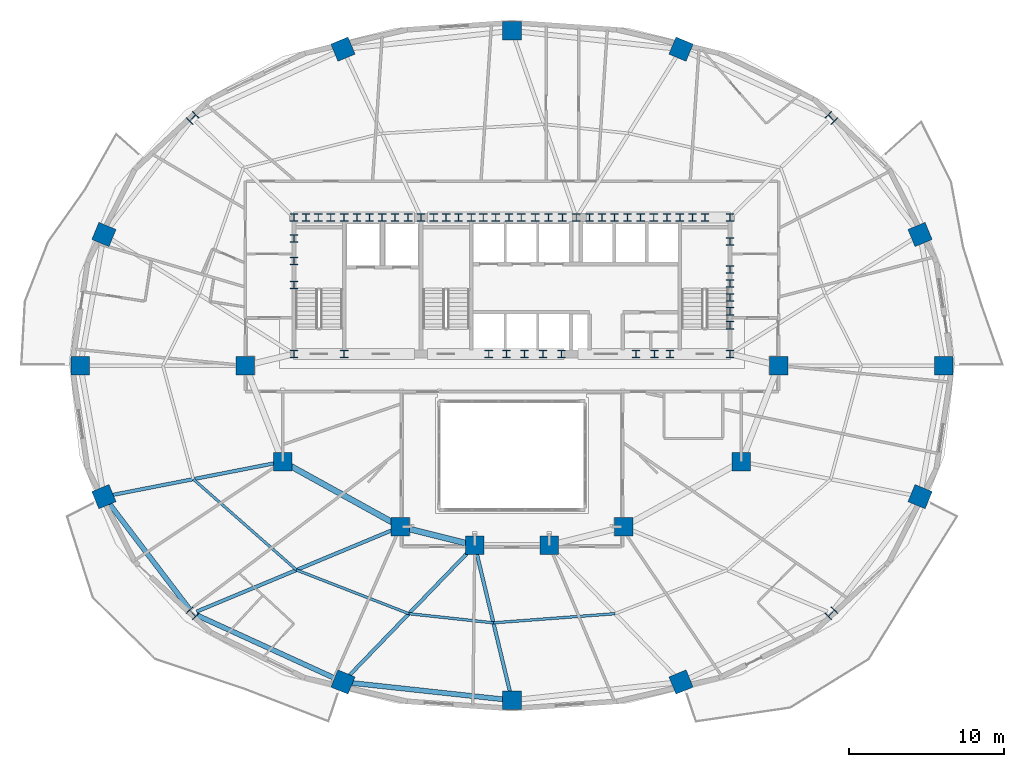
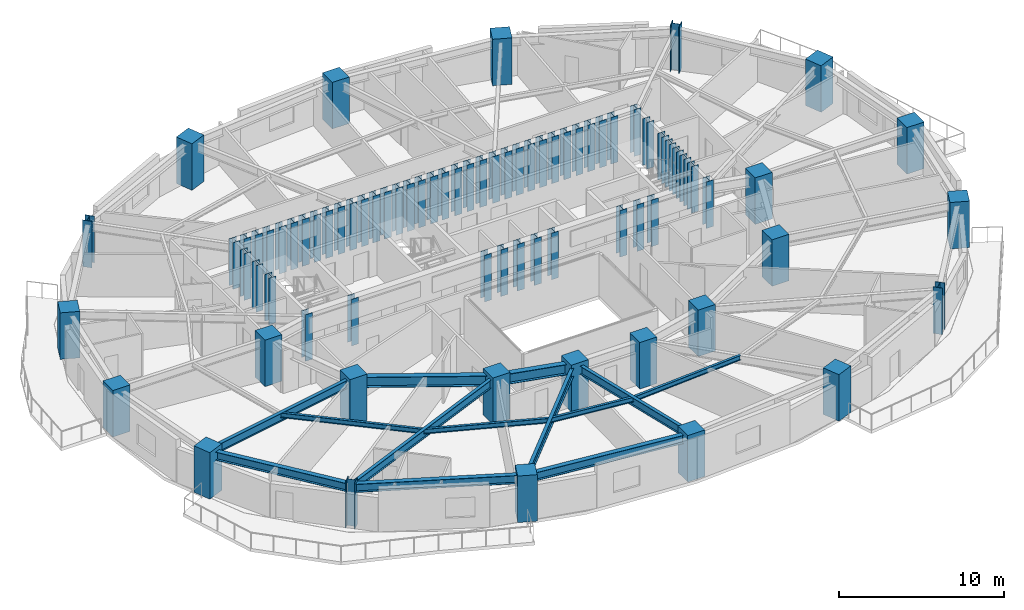
# One storey, part 1 of 14: 78 columns, 13 beams.
"""IFC4 building model written with IfcOpenShell, lengths in metres."""

from ifc_helpers import new_model, si_unit, direction, frame, origin, origin_2d, place, context, subcontext, project, spatial, rectangle, i_section, extrude, material, material_profile, profile_set, type_object, element, save


model = new_model("IFC4")

# Units and contexts
model_context = context("Model", 3, precision=1e-05, world=origin(), true_north=direction((0.0, 1.0)))
body_context = subcontext(model_context, "Body", "Model", "MODEL_VIEW")
ifc_project = project(units=[si_unit("LENGTHUNIT", "METRE"), si_unit("AREAUNIT", "SQUARE_METRE"), si_unit("VOLUMEUNIT", "CUBIC_METRE"), si_unit("PLANEANGLEUNIT", "RADIAN"), si_unit("MASSUNIT", "GRAM", prefix="KILO")], contexts=[model_context])

# Site, building, storey
site_placement = place(None, origin())
site = spatial("IfcSite", under=ifc_project, at=site_placement, CompositionType="ELEMENT")
building_placement = place(site_placement, origin())
building = spatial("IfcBuilding", under=site, at=building_placement, Name="Haldorwick Loom Tower", CompositionType="ELEMENT")
storey_placement = place(building_placement, frame((0.0, 0.0, 102.5)))
storey = spatial("IfcBuildingStorey", under=building, at=storey_placement, Name="L27", CompositionType="ELEMENT", Elevation=102.5)

# Columns
ifc_material_1 = material(Name="Concrete C60 (60 MPa)", Category="concrete")
ifc_material_profile_1 = material_profile(ifc_material_1, rectangle(XDim=1.199951171875, YDim=1.199951171875, at=origin_2d()), Name="RC1200X1200", Category="concrete")
ifc_profile_set_1 = profile_set([ifc_material_profile_1], Name="Concrete C60 (60 MPa)")
column_type_1 = type_object("IfcColumnType", Name="STR-COL-RC1200", PredefinedType="COLUMN", material=ifc_profile_set_1)
for number, where, z_axis, x_axis, name in (
    (1, (53.199951171875, 26.0, 0.0), (0.0, 0.0, 1.0), (1.0, 0.0, 0.0), "L27 Inner Column IC-01"),
    (2, (50.800048828125, 19.800048828125, 0.0), (0.0, 0.0, 1.0), (1.0, 0.0, 0.0), "L27 Inner Column IC-02"),
    (3, (43.199951171875, 15.60009765625, 0.0), (0.0, 0.0, 1.0), (1.0, 0.0, 0.0), "L27 Inner Column IC-03"),
    (4, (38.39990234375, 14.39990234375, 0.0), (0.0, 0.0, 1.0), (1.0, 0.0, 0.0), "L27 Inner Column IC-04"),
    (5, (33.60009765625, 14.39990234375, 0.0), (0.0, 0.0, 1.0), (1.0, 0.0, 0.0), "L27 Inner Column IC-05"),
    (6, (28.800048828125, 15.60009765625, 0.0), (0.0, 0.0, 1.0), (1.0, 0.0, 0.0), "L27 Inner Column IC-06"),
    (7, (21.199951171875, 19.800048828125, 0.0), (0.0, 0.0, 1.0), (1.0, 0.0, 0.0), "L27 Inner Column IC-07"),
    (8, (18.800048828125, 26.0, 0.0), (0.0, 0.0, 1.0), (1.0, 0.0, 0.0), "L27 Inner Column IC-08"),
    (9, (63.857666015625, 26.0, 0.0), (0.0, 0.0, 1.0), (1.0, 0.0, 0.0), "L27 Perimeter Pier Column P01"),
    (10, (62.33056640625, 34.457275390625, 0.0), (0.0, 0.0, 1.0), (0.923879532511, 0.382683432365, 0.0), "L27 Perimeter Pier Column P02"),
    (11, (46.906494140625, 46.417724609375, 0.0), (0.0, 0.0, 1.0), (0.382683432365, 0.923879532511, 0.0), "L27 Perimeter Pier Column P04"),
    (12, (36.0, 47.598388671875, 0.0), (0.0, 0.0, 1.0), (0.0, 1.0, 0.0), "L27 Perimeter Pier Column P05"),
    (13, (25.093505859375, 46.417724609375, 0.0), (0.0, 0.0, 1.0), (-0.382683432365, 0.923879532511, 0.0), "L27 Perimeter Pier Column P06"),
    (14, (9.66943359375, 34.457275390625, 0.0), (0.0, 0.0, 1.0), (-0.923879532511, 0.382683432365, 0.0), "L27 Perimeter Pier Column P08"),
    (15, (8.142333984375, 26.0, 0.0), (0.0, 0.0, 1.0), (-1.0, 0.0, 0.0), "L27 Perimeter Pier Column P09"),
    (16, (9.66943359375, 17.542724609375, 0.0), (0.0, 0.0, 1.0), (-0.923879532511, -0.382683432365, 0.0), "L27 Perimeter Pier Column P10"),
    (17, (25.093505859375, 5.582275390625, 0.0), (0.0, 0.0, 1.0), (-0.382683432365, -0.923879532511, 0.0), "L27 Perimeter Pier Column P12"),
    (18, (36.0, 4.401611328125, 0.0), (0.0, 0.0, 1.0), (0.0, -1.0, 0.0), "L27 Perimeter Pier Column P13"),
    (19, (46.906494140625, 5.582275390625, 0.0), (0.0, 0.0, 1.0), (0.382683432365, -0.923879532511, 0.0), "L27 Perimeter Pier Column P14"),
    (20, (62.33056640625, 17.542724609375, 0.0), (0.0, 0.0, 1.0), (0.923879532511, -0.382683432365, 0.0), "L27 Perimeter Pier Column P16"),
):
    element("IfcColumn", number, at=place(storey_placement, frame(where, z_axis=z_axis, x_axis=x_axis)), inside=storey, type_object=column_type_1, Name=name, PredefinedType="COLUMN", context=body_context, shape_type="SweptSolid", body=[
        extrude(rectangle(XDim=1.199951171875, YDim=1.199951171875, at=origin_2d()), origin(), (0.0, 0.0, 1.0), 3.449951171875),
    ])
ifc_material_2 = material(Name="Steel CSA G40.21 350WT", Category="steel")
ifc_material_profile_2 = material_profile(ifc_material_2, i_section(OverallWidth=0.5, OverallDepth=0.5, WebThickness=0.02197265625, FlangeThickness=0.031982421875, at=origin_2d()), Name="WWF500X500", Category="steel")
ifc_profile_set_2 = profile_set([ifc_material_profile_2], Name="Steel CSA G40.21 350WT")
column_type_2 = type_object("IfcColumnType", Name="STR-COL-WWF500", PredefinedType="COLUMN", material=ifc_profile_set_2)
for number, where, z_axis, x_axis, name in (
    (21, (21.929931640625, 35.550048828125, 0.0), (0.0, 0.0, 1.0), (1.0, 0.0, 0.0), "L27 Core Pilaster CB-01"),
    (22, (23.5, 35.550048828125, 0.0), (0.0, 0.0, 1.0), (1.0, 0.0, 0.0), "L27 Core Pilaster CB-02"),
    (23, (25.169921875, 35.550048828125, 0.0), (0.0, 0.0, 1.0), (1.0, 0.0, 0.0), "L27 Core Pilaster CB-03"),
    (24, (26.800048828125, 35.550048828125, 0.0), (0.0, 0.0, 1.0), (1.0, 0.0, 0.0), "L27 Core Pilaster CB-04"),
    (25, (28.449951171875, 35.550048828125, 0.0), (0.0, 0.0, 1.0), (1.0, 0.0, 0.0), "L27 Core Pilaster CB-05"),
    (26, (30.1298828125, 35.550048828125, 0.0), (0.0, 0.0, 1.0), (1.0, 0.0, 0.0), "L27 Core Pilaster CB-06"),
    (27, (31.75, 35.550048828125, 0.0), (0.0, 0.0, 1.0), (1.0, 0.0, 0.0), "L27 Core Pilaster CB-07"),
    (28, (33.3701171875, 35.550048828125, 0.0), (0.0, 0.0, 1.0), (1.0, 0.0, 0.0), "L27 Core Pilaster CB-08"),
    (29, (34.949951171875, 35.550048828125, 0.0), (0.0, 0.0, 1.0), (1.0, 0.0, 0.0), "L27 Core Pilaster CB-09"),
    (30, (36.60009765625, 35.550048828125, 0.0), (0.0, 0.0, 1.0), (1.0, 0.0, 0.0), "L27 Core Pilaster CB-10"),
    (31, (38.35009765625, 35.550048828125, 0.0), (0.0, 0.0, 1.0), (1.0, 0.0, 0.0), "L27 Core Pilaster CB-11"),
    (32, (40.14990234375, 35.550048828125, 0.0), (0.0, 0.0, 1.0), (1.0, 0.0, 0.0), "L27 Core Pilaster CB-12"),
    (33, (41.800048828125, 35.550048828125, 0.0), (0.0, 0.0, 1.0), (1.0, 0.0, 0.0), "L27 Core Pilaster CB-13"),
    (34, (43.449951171875, 35.550048828125, 0.0), (0.0, 0.0, 1.0), (1.0, 0.0, 0.0), "L27 Core Pilaster CB-14"),
    (35, (45.14990234375, 35.550048828125, 0.0), (0.0, 0.0, 1.0), (1.0, 0.0, 0.0), "L27 Core Pilaster CB-15"),
    (36, (46.830078125, 35.550048828125, 0.0), (0.0, 0.0, 1.0), (1.0, 0.0, 0.0), "L27 Core Pilaster CB-16"),
    (37, (48.449951171875, 35.550048828125, 0.0), (0.0, 0.0, 1.0), (1.0, 0.0, 0.0), "L27 Core Pilaster CB-17"),
    (38, (50.070068359375, 35.550048828125, 0.0), (0.0, 0.0, 1.0), (1.0, 0.0, 0.0), "L27 Core Pilaster CB-18"),
    (39, (21.929931640625, 26.75, 0.0), (0.0, 0.0, 1.0), (1.0, 0.0, 0.0), "L27 Core Pilaster CB-19"),
    (40, (25.169921875, 26.75, 0.0), (0.0, 0.0, 1.0), (1.0, 0.0, 0.0), "L27 Core Pilaster CB-20"),
    (41, (34.5, 26.75, 0.0), (0.0, 0.0, 1.0), (1.0, 0.0, 0.0), "L27 Core Pilaster CB-21"),
    (42, (36.800048828125, 26.75, 0.0), (0.0, 0.0, 1.0), (1.0, 0.0, 0.0), "L27 Core Pilaster CB-22"),
    (43, (39.199951171875, 26.75, 0.0), (0.0, 0.0, 1.0), (1.0, 0.0, 0.0), "L27 Core Pilaster CB-23"),
    (44, (45.199951171875, 26.75, 0.0), (0.0, 0.0, 1.0), (1.0, 0.0, 0.0), "L27 Core Pilaster CB-24"),
    (45, (50.070068359375, 26.75, 0.0), (0.0, 0.0, 1.0), (1.0, 0.0, 0.0), "L27 Core Pilaster CB-25"),
    (46, (21.929931640625, 31.199951171875, 0.0), (0.0, 0.0, 1.0), (1.0, 0.0, 0.0), "L27 Core Pilaster CB-26"),
    (47, (21.929931640625, 32.75, 0.0), (0.0, 0.0, 1.0), (1.0, 0.0, 0.0), "L27 Core Pilaster CB-27"),
    (48, (21.929931640625, 34.199951171875, 0.0), (0.0, 0.0, 1.0), (1.0, 0.0, 0.0), "L27 Core Pilaster CB-28"),
    (49, (50.070068359375, 28.60009765625, 0.0), (0.0, 0.0, 1.0), (1.0, 0.0, 0.0), "L27 Core Pilaster CB-29"),
    (50, (50.070068359375, 30.39990234375, 0.0), (0.0, 0.0, 1.0), (1.0, 0.0, 0.0), "L27 Core Pilaster CB-30"),
    (51, (50.070068359375, 32.199951171875, 0.0), (0.0, 0.0, 1.0), (1.0, 0.0, 0.0), "L27 Core Pilaster CB-31"),
    (52, (50.070068359375, 34.0, 0.0), (0.0, 0.0, 1.0), (1.0, 0.0, 0.0), "L27 Core Pilaster CB-32"),
    (53, (22.699951171875, 35.550048828125, 0.0), (0.0, 0.0, 1.0), (1.0, 0.0, 0.0), "L27 Core Pilaster CB-33"),
    (54, (27.6201171875, 35.550048828125, 0.0), (0.0, 0.0, 1.0), (1.0, 0.0, 0.0), "L27 Core Pilaster CB-34"),
    (55, (32.550048828125, 35.550048828125, 0.0), (0.0, 0.0, 1.0), (1.0, 0.0, 0.0), "L27 Core Pilaster CB-35"),
    (56, (37.5, 35.550048828125, 0.0), (0.0, 0.0, 1.0), (1.0, 0.0, 0.0), "L27 Core Pilaster CB-36"),
    (57, (42.6201171875, 35.550048828125, 0.0), (0.0, 0.0, 1.0), (1.0, 0.0, 0.0), "L27 Core Pilaster CB-37"),
    (58, (47.64990234375, 35.550048828125, 0.0), (0.0, 0.0, 1.0), (1.0, 0.0, 0.0), "L27 Core Pilaster CB-38"),
    (59, (24.300048828125, 35.550048828125, 0.0), (0.0, 0.0, 1.0), (1.0, 0.0, 0.0), "L27 Core Pilaster CB-39"),
    (60, (26.0, 35.550048828125, 0.0), (0.0, 0.0, 1.0), (1.0, 0.0, 0.0), "L27 Core Pilaster CB-40"),
    (61, (29.300048828125, 35.550048828125, 0.0), (0.0, 0.0, 1.0), (1.0, 0.0, 0.0), "L27 Core Pilaster CB-41"),
    (62, (30.949951171875, 35.550048828125, 0.0), (0.0, 0.0, 1.0), (1.0, 0.0, 0.0), "L27 Core Pilaster CB-42"),
    (63, (34.14990234375, 35.550048828125, 0.0), (0.0, 0.0, 1.0), (1.0, 0.0, 0.0), "L27 Core Pilaster CB-43"),
    (64, (35.800048828125, 35.550048828125, 0.0), (0.0, 0.0, 1.0), (1.0, 0.0, 0.0), "L27 Core Pilaster CB-44"),
    (65, (39.25, 35.550048828125, 0.0), (0.0, 0.0, 1.0), (1.0, 0.0, 0.0), "L27 Core Pilaster CB-45"),
    (66, (41.0, 35.550048828125, 0.0), (0.0, 0.0, 1.0), (1.0, 0.0, 0.0), "L27 Core Pilaster CB-46"),
    (67, (44.300048828125, 35.550048828125, 0.0), (0.0, 0.0, 1.0), (1.0, 0.0, 0.0), "L27 Core Pilaster CB-47"),
    (68, (46.0, 35.550048828125, 0.0), (0.0, 0.0, 1.0), (1.0, 0.0, 0.0), "L27 Core Pilaster CB-48"),
    (69, (50.070068359375, 29.5, 0.0), (0.0, 0.0, 1.0), (1.0, 0.0, 0.0), "L27 Core Pilaster CB-49"),
    (70, (50.070068359375, 31.300048828125, 0.0), (0.0, 0.0, 1.0), (1.0, 0.0, 0.0), "L27 Core Pilaster CB-50"),
    (71, (35.64990234375, 26.75, 0.0), (0.0, 0.0, 1.0), (1.0, 0.0, 0.0), "L27 Core Pilaster CB-51"),
    (72, (38.0, 26.75, 0.0), (0.0, 0.0, 1.0), (1.0, 0.0, 0.0), "L27 Core Pilaster CB-52"),
    (73, (44.0, 26.75, 0.0), (0.0, 0.0, 1.0), (1.0, 0.0, 0.0), "L27 Core Pilaster CB-53"),
    (74, (46.199951171875, 26.75, 0.0), (0.0, 0.0, 1.0), (1.0, 0.0, 0.0), "L27 Core Pilaster CB-54"),
):
    element("IfcColumn", number, at=place(storey_placement, frame(where, z_axis=z_axis, x_axis=x_axis)), inside=storey, type_object=column_type_2, Name=name, PredefinedType="COLUMN", context=body_context, shape_type="SweptSolid", body=[
        extrude(i_section(OverallWidth=0.5, OverallDepth=0.5, WebThickness=0.02197265625, FlangeThickness=0.031982421875, at=origin_2d()), origin(), (0.0, 0.0, 1.0), 3.449951171875),
    ])
ifc_material_profile_3 = material_profile(ifc_material_2, i_section(OverallWidth=0.60009765625, OverallDepth=0.60009765625, WebThickness=0.02490234375, FlangeThickness=0.035888671875, at=origin_2d()), Name="WWF600X600", Category="steel")
ifc_profile_set_3 = profile_set([ifc_material_profile_3], Name="Steel CSA G40.21 350WT")
column_type_3 = type_object("IfcColumnType", Name="STR-COL-WWF600", PredefinedType="COLUMN", material=ifc_profile_set_3)
for number, where, z_axis, x_axis, name in (
    (75, (56.606689453125, 41.981689453125, 0.0), (0.0, 0.0, 1.0), (0.707106781187, 0.707106781187, 0.0), "L27 Perimeter Pier Column P03"),
    (76, (15.393310546875, 41.981689453125, 0.0), (0.0, 0.0, 1.0), (-0.707106781187, 0.707106781187, 0.0), "L27 Perimeter Pier Column P07"),
    (77, (15.393310546875, 10.018310546875, 0.0), (0.0, 0.0, 1.0), (-0.707106781187, -0.707106781187, 0.0), "L27 Perimeter Pier Column P11"),
    (78, (56.606689453125, 10.018310546875, 0.0), (0.0, 0.0, 1.0), (0.707106781187, -0.707106781187, 0.0), "L27 Perimeter Pier Column P15"),
):
    element("IfcColumn", number, at=place(storey_placement, frame(where, z_axis=z_axis, x_axis=x_axis)), inside=storey, type_object=column_type_3, Name=name, PredefinedType="COLUMN", context=body_context, shape_type="SweptSolid", body=[
        extrude(i_section(OverallWidth=0.60009765625, OverallDepth=0.60009765625, WebThickness=0.02490234375, FlangeThickness=0.035888671875, at=origin_2d()), origin(), (0.0, 0.0, 1.0), 3.449951171875),
    ])

# Beams
ifc_material_3 = material(Name="Steel CSA G40.21 350W", Category="steel")
ifc_material_profile_4 = material_profile(ifc_material_3, i_section(OverallWidth=0.172119140625, OverallDepth=0.35791015625, WebThickness=0.0078125, FlangeThickness=0.01318359375, at=origin_2d()), Name="W360X57", Category="steel")
ifc_profile_set_4 = profile_set([ifc_material_profile_4], Name="Steel CSA G40.21 350W")
beam_type_1 = type_object("IfcBeamType", Name="STR-BM-J360", PredefinedType="JOIST", material=ifc_profile_set_4)
beam_1_placement = place(storey_placement, frame((15.434814453125, 18.67138671875, 2.990966796875), z_axis=(0.750721157729, -0.660619212057, 0.0), x_axis=(0.660619212057, 0.750721157729, 0.0)))
element("IfcBeam", 79, at=beam_1_placement, inside=storey, type_object=beam_type_1, Name="L27 Mid-Bay Secondary Joist 10", PredefinedType="JOIST", context=body_context, shape_type="SweptSolid", body=[
    extrude(i_section(OverallWidth=0.172119140625, OverallDepth=0.35791015625, WebThickness=0.0078125, FlangeThickness=0.01318359375, at=origin_2d()), origin(), (0.0, 0.0, 1.0), 8.8740234375),
])
beam_2_placement = place(storey_placement, frame((22.0966796875, 12.80908203125, 2.990966796875), z_axis=(0.932072983051, -0.362270553959, 0.0), x_axis=(0.362270553959, 0.932072983051, 0.0)))
element("IfcBeam", 80, at=beam_2_placement, inside=storey, type_object=beam_type_1, Name="L27 Mid-Bay Secondary Joist 11", PredefinedType="JOIST", context=body_context, shape_type="SweptSolid", body=[
    extrude(i_section(OverallWidth=0.172119140625, OverallDepth=0.35791015625, WebThickness=0.0078125, FlangeThickness=0.01318359375, at=origin_2d()), origin(), (0.0, 0.0, 1.0), 7.7783203125),
])
beam_3_placement = place(storey_placement, frame((29.3466796875, 9.9912109375, 2.990966796875), z_axis=(0.994191869342, -0.107622148904, 0.0), x_axis=(0.107622148904, 0.994191869342, 0.0)))
element("IfcBeam", 81, at=beam_3_placement, inside=storey, type_object=beam_type_1, Name="L27 Mid-Bay Secondary Joist 12", PredefinedType="JOIST", context=body_context, shape_type="SweptSolid", body=[
    extrude(i_section(OverallWidth=0.172119140625, OverallDepth=0.35791015625, WebThickness=0.0078125, FlangeThickness=0.01318359375, at=origin_2d()), origin(), (0.0, 0.0, 1.0), 5.485107421875),
])
beam_4_placement = place(storey_placement, frame((34.800048828125, 9.40087890625, 2.990966796875), z_axis=(0.99718663731, 0.074958724439, 0.0), x_axis=(-0.074958724439, 0.99718663731, 0.0)))
element("IfcBeam", 82, at=beam_4_placement, inside=storey, type_object=beam_type_1, Name="L27 Mid-Bay Secondary Joist 13", PredefinedType="JOIST", context=body_context, shape_type="SweptSolid", body=[
    extrude(i_section(OverallWidth=0.172119140625, OverallDepth=0.35791015625, WebThickness=0.0078125, FlangeThickness=0.01318359375, at=origin_2d()), origin(), (0.0, 0.0, 1.0), 7.87548828125),
])
ifc_material_profile_5 = material_profile(ifc_material_3, i_section(OverallWidth=0.324951171875, OverallDepth=0.615966796875, WebThickness=0.013916015625, FlangeThickness=0.021484375, at=origin_2d()), Name="W610X174", Category="steel")
ifc_profile_set_5 = profile_set([ifc_material_profile_5], Name="Steel CSA G40.21 350W")
beam_type_2 = type_object("IfcBeamType", Name="STR-BM-SP610", PredefinedType="SPANDREL", material=ifc_profile_set_5)
beam_5_placement = place(storey_placement, frame((9.984130859375, 17.12890625, 2.862060546875), z_axis=(0.605453508047, -0.795880675475, 0.0), x_axis=(0.795880675475, 0.605453508047, 0.0)))
element("IfcBeam", 83, at=beam_5_placement, inside=storey, type_object=beam_type_2, Name="L27 Perimeter Spandrel 10", PredefinedType="SPANDREL", context=body_context, shape_type="SweptSolid", body=[
    extrude(i_section(OverallWidth=0.324951171875, OverallDepth=0.615966796875, WebThickness=0.013916015625, FlangeThickness=0.021484375, at=origin_2d()), origin(), (0.0, 0.0, 1.0), 8.6591796875),
])
beam_6_placement = place(storey_placement, frame((15.643310546875, 9.90380859375, 2.862060546875), z_axis=(0.909423969306, -0.415870225011, 0.0), x_axis=(0.415870225011, 0.909423969306, 0.0)))
element("IfcBeam", 84, at=beam_6_placement, inside=storey, type_object=beam_type_2, Name="L27 Perimeter Spandrel 11", PredefinedType="SPANDREL", context=body_context, shape_type="SweptSolid", body=[
    extrude(i_section(OverallWidth=0.324951171875, OverallDepth=0.615966796875, WebThickness=0.013916015625, FlangeThickness=0.021484375, at=origin_2d()), origin(), (0.0, 0.0, 1.0), 9.871337890625),
])
beam_7_placement = place(storey_placement, frame((25.610595703125, 5.5263671875, 2.862060546875), z_axis=(0.994190135627, -0.107638163409, 0.0), x_axis=(0.107638163409, 0.994190135627, 0.0)))
element("IfcBeam", 85, at=beam_7_placement, inside=storey, type_object=beam_type_2, Name="L27 Perimeter Spandrel 12", PredefinedType="SPANDREL", context=body_context, shape_type="SweptSolid", body=[
    extrude(i_section(OverallWidth=0.324951171875, OverallDepth=0.615966796875, WebThickness=0.013916015625, FlangeThickness=0.021484375, at=origin_2d()), origin(), (0.0, 0.0, 1.0), 9.929931640625),
])
ifc_material_profile_6 = material_profile(ifc_material_3, i_section(OverallWidth=0.22998046875, OverallDepth=0.616943359375, WebThickness=0.01318359375, FlangeThickness=0.022216796875, at=origin_2d()), Name="W610X140", Category="steel")
ifc_profile_set_6 = profile_set([ifc_material_profile_6], Name="Steel CSA G40.21 350W")
beam_type_3 = type_object("IfcBeamType", Name="STR-BM-W610B", PredefinedType="BEAM", material=ifc_profile_set_6)
beam_8_placement = place(storey_placement, frame((20.689697265625, 19.7001953125, 2.861572265625), z_axis=(-0.981369581426, -0.192129499692, 0.0), x_axis=(0.192129499692, -0.981369581426, 0.0)))
element("IfcBeam", 86, at=beam_8_placement, inside=storey, type_object=beam_type_3, Name="L27 Radial Floor Girder 10", PredefinedType="BEAM", context=body_context, shape_type="SweptSolid", body=[
    extrude(i_section(OverallWidth=0.22998046875, OverallDepth=0.616943359375, WebThickness=0.01318359375, FlangeThickness=0.022216796875, at=origin_2d()), origin(), (0.0, 0.0, 1.0), 10.70947265625),
])
beam_9_placement = place(storey_placement, frame((28.31982421875, 15.400146484375, 2.861572265625), z_axis=(-0.923183704764, -0.384359008297, 0.0), x_axis=(0.384359008297, -0.923183704764, 0.0)))
element("IfcBeam", 87, at=beam_9_placement, inside=storey, type_object=beam_type_3, Name="L27 Radial Floor Girder 11", PredefinedType="BEAM", context=body_context, shape_type="SweptSolid", body=[
    extrude(i_section(OverallWidth=0.22998046875, OverallDepth=0.616943359375, WebThickness=0.01318359375, FlangeThickness=0.022216796875, at=origin_2d()), origin(), (0.0, 0.0, 1.0), 13.72705078125),
])
beam_10_placement = place(storey_placement, frame((33.239013671875, 14.02587890625, 2.861572265625), z_axis=(-0.694287071595, -0.719698174387, 0.0), x_axis=(0.719698174387, -0.694287071595, 0.0)))
element("IfcBeam", 88, at=beam_10_placement, inside=storey, type_object=beam_type_3, Name="L27 Radial Floor Girder 12", PredefinedType="BEAM", context=body_context, shape_type="SweptSolid", body=[
    extrude(i_section(OverallWidth=0.22998046875, OverallDepth=0.616943359375, WebThickness=0.01318359375, FlangeThickness=0.022216796875, at=origin_2d()), origin(), (0.0, 0.0, 1.0), 11.212158203125),
])
beam_11_placement = place(storey_placement, frame((33.721435546875, 13.894287109375, 2.861572265625), z_axis=(0.233406920764, -0.972379148964, 0.0), x_axis=(0.972379148964, 0.233406920764, 0.0)))
element("IfcBeam", 89, at=beam_11_placement, inside=storey, type_object=beam_type_3, Name="L27 Radial Floor Girder 13", PredefinedType="BEAM", context=body_context, shape_type="SweptSolid", body=[
    extrude(i_section(OverallWidth=0.22998046875, OverallDepth=0.616943359375, WebThickness=0.01318359375, FlangeThickness=0.022216796875, at=origin_2d()), origin(), (0.0, 0.0, 1.0), 9.242431640625),
])
ifc_material_profile_7 = material_profile(ifc_material_3, i_section(OverallWidth=0.381103515625, OverallDepth=0.77294921875, WebThickness=0.0166015625, FlangeThickness=0.027587890625, at=origin_2d()), Name="W760X257", Category="steel")
ifc_profile_set_7 = profile_set([ifc_material_profile_7], Name="Steel CSA G40.21 350W")
beam_type_4 = type_object("IfcBeamType", Name="STR-BM-W760", PredefinedType="BEAM", material=ifc_profile_set_7)
beam_12_placement = place(storey_placement, frame((33.095458984375, 14.526123046875, 2.783447265625), z_axis=(-0.970142500145, 0.242535625036, 0.0), x_axis=(-0.242535625036, -0.970142500145, 0.0)))
element("IfcBeam", 90, at=beam_12_placement, inside=storey, type_object=beam_type_4, Name="L27 Inner Ring Girder 6", PredefinedType="BEAM", context=body_context, shape_type="SweptSolid", body=[
    extrude(i_section(OverallWidth=0.381103515625, OverallDepth=0.77294921875, WebThickness=0.0166015625, FlangeThickness=0.027587890625, at=origin_2d()), origin(), (0.0, 0.0, 1.0), 3.90771484375),
])
beam_13_placement = place(storey_placement, frame((28.344970703125, 15.8515625, 2.783447265625), z_axis=(-0.875244382146, 0.483680960471, 0.0), x_axis=(-0.483680960471, -0.875244382146, 0.0)))
element("IfcBeam", 91, at=beam_13_placement, inside=storey, type_object=beam_type_4, Name="L27 Inner Ring Girder 7", PredefinedType="BEAM", context=body_context, shape_type="SweptSolid", body=[
    extrude(i_section(OverallWidth=0.381103515625, OverallDepth=0.77294921875, WebThickness=0.0166015625, FlangeThickness=0.027587890625, at=origin_2d()), origin(), (0.0, 0.0, 1.0), 7.6435546875),
])

save(model, "model.ifc")
